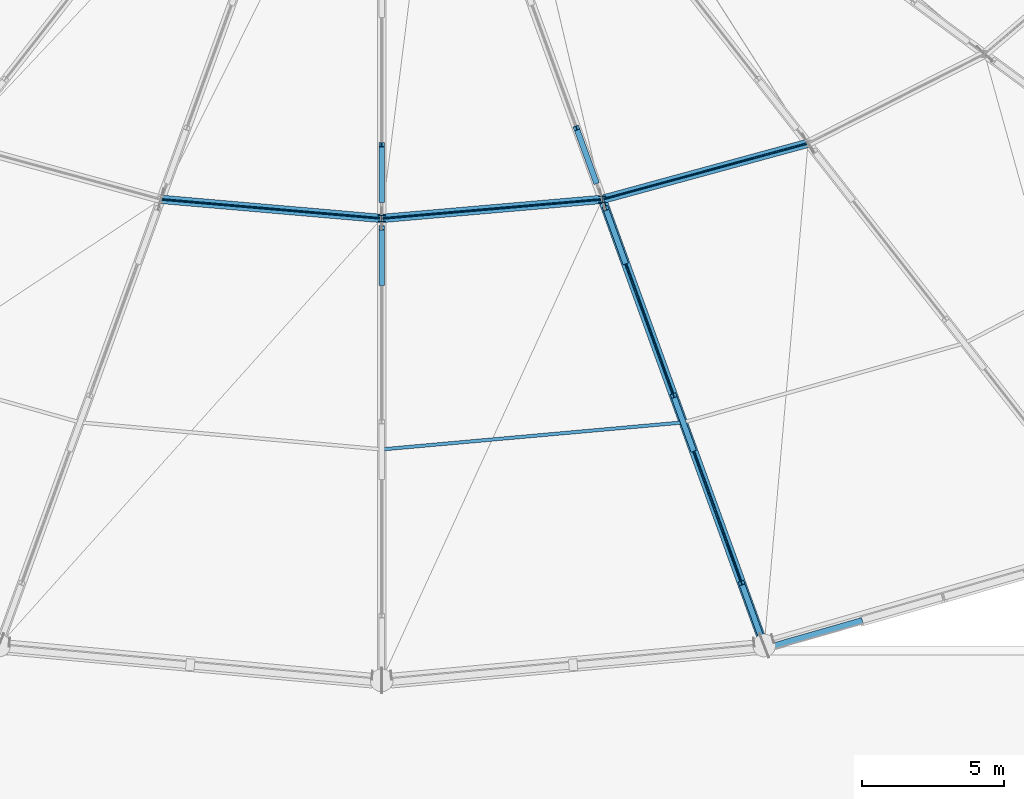
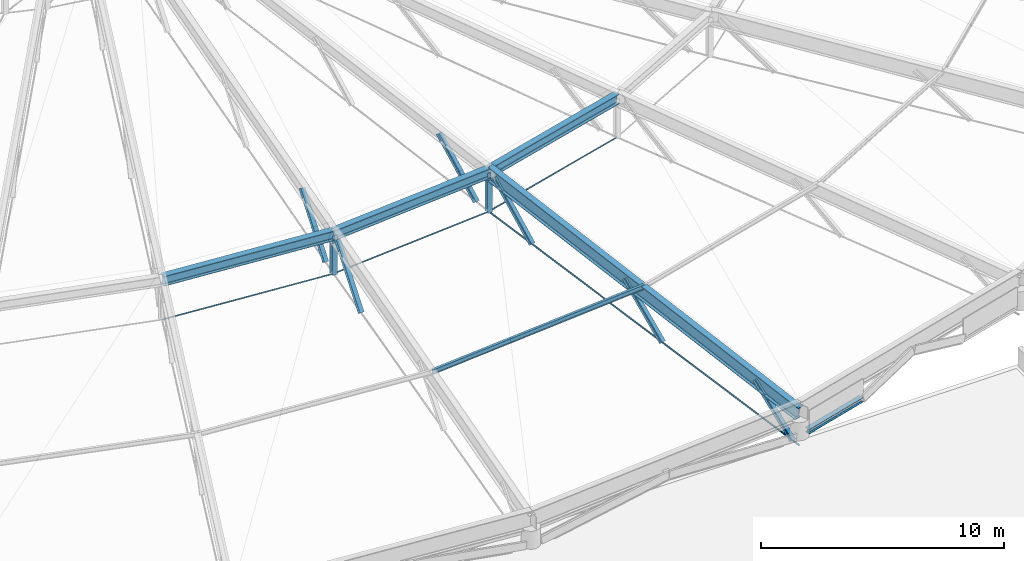
# One storey, part 5 of 83: 13 members, 5 beams.
"""IFC4 building model written with IfcOpenShell, lengths in metres."""

from ifc_helpers import new_model, si_unit, direction, frame, origin, origin_2d, place, context, subcontext, project, spatial, circle, i_section, extrude, material, material_profile, profile_set, type_object, element, save


model = new_model("IFC4")

# Units and contexts
model_context = context("Model", 3, precision=1e-05, world=origin(), true_north=direction((0.0, 1.0)))
body_context = subcontext(model_context, "Body", "Model", "MODEL_VIEW")
ifc_project = project(units=[si_unit("LENGTHUNIT", "METRE"), si_unit("AREAUNIT", "SQUARE_METRE"), si_unit("VOLUMEUNIT", "CUBIC_METRE"), si_unit("PLANEANGLEUNIT", "RADIAN"), si_unit("MASSUNIT", "GRAM", prefix="KILO")], contexts=[model_context])

# Site, building, storey
site_placement = place(None, origin())
site = spatial("IfcSite", under=ifc_project, at=site_placement, CompositionType="ELEMENT")
building_placement = place(site_placement, origin())
building = spatial("IfcBuilding", under=site, at=building_placement, Name="Kivolera Central Railway Station", CompositionType="ELEMENT")
storey_placement = place(building_placement, frame((0.0, 0.0, 14.39990234375)))
storey = spatial("IfcBuildingStorey", under=building, at=storey_placement, Name="L03", CompositionType="ELEMENT", Elevation=14.39990234375)

# Beams
ifc_material_1 = material(Name="Steel S355", Category="steel")
ifc_material_profile_1 = material_profile(ifc_material_1, i_section(OverallWidth=0.300048828125, OverallDepth=0.699951171875, WebThickness=0.01708984375, FlangeThickness=0.031982421875, FilletRadius=0.027099609375, at=origin_2d()), Name="HEB 700")
ifc_profile_set_1 = profile_set([ifc_material_profile_1], Name="Steel S355")
beam_type_1 = type_object("IfcBeamType", Name="BM-DRB-HEB700", PredefinedType="BEAM", material=ifc_profile_set_1)
beam_1_placement = place(storey_placement, frame((77.458984375, 55.22705078125, 1.18017578125), z_axis=(-0.328777498815, 0.906291393744, 0.265596057761), x_axis=(-0.940053995171, -0.341025638571, 0.0)))
element("IfcBeam", 1, at=beam_1_placement, inside=storey, type_object=beam_type_1, Name="Oval Dome Radial Arch Rib Outer Segment DRB1-20", PredefinedType="BEAM", context=body_context, shape_type="SweptSolid", body=[
    extrude(i_section(OverallWidth=0.300048828125, OverallDepth=0.699951171875, WebThickness=0.01708984375, FlangeThickness=0.031982421875, FilletRadius=0.027099609375, at=origin_2d()), origin(), (0.0, 0.0, 1.0), 17.319091796875),
])
ifc_material_profile_2 = material_profile(ifc_material_1, i_section(OverallWidth=0.300048828125, OverallDepth=0.5, WebThickness=0.014404296875, FlangeThickness=0.028076171875, FilletRadius=0.027099609375, at=origin_2d()), Name="HEB 500")
ifc_profile_set_2 = profile_set([ifc_material_profile_2], Name="Steel S355")
beam_type_2 = type_object("IfcBeamType", Name="BM-HRG-HEB500", PredefinedType="BEAM", material=ifc_profile_set_2)
for number, where, z_axis, x_axis, name in (
    (2, (56.235107421875, 70.923095703125, 5.780029296875), (0.996263942133, -0.086360625325, 0.0), (0.086360625325, 0.996263942133, 0.0), "Oval Dome Outer Hoop Ring Beam HRG1-18"),
    (3, (64.0, 70.25, 5.780029296875), (0.996263942133, 0.086360625325, 0.0), (-0.086360625325, 0.996263942133, 0.0), "Oval Dome Outer Hoop Ring Beam HRG1-19"),
):
    element("IfcBeam", number, at=place(storey_placement, frame(where, z_axis=z_axis, x_axis=x_axis)), inside=storey, type_object=beam_type_2, Name=name, PredefinedType="BEAM", context=body_context, shape_type="SweptSolid", body=[
        extrude(i_section(OverallWidth=0.300048828125, OverallDepth=0.5, WebThickness=0.014404296875, FlangeThickness=0.028076171875, FilletRadius=0.027099609375, at=origin_2d()), origin(), (0.0, 0.0, 1.0), 7.7939453125),
    ])
beam_2_placement = place(storey_placement, frame((71.764892578125, 70.923095703125, 5.780029296875), z_axis=(0.964774338312, 0.263078840152, 0.0), x_axis=(-0.263078840152, 0.964774338312, 0.0)))
element("IfcBeam", 4, at=beam_2_placement, inside=storey, type_object=beam_type_2, Name="Oval Dome Outer Hoop Ring Beam HRG1-20", PredefinedType="BEAM", context=body_context, shape_type="SweptSolid", body=[
    extrude(i_section(OverallWidth=0.300048828125, OverallDepth=0.5, WebThickness=0.014404296875, FlangeThickness=0.028076171875, FilletRadius=0.027099609375, at=origin_2d()), origin(), (0.0, 0.0, 1.0), 7.499267578125),
])
ifc_material_profile_3 = material_profile(ifc_material_1, i_section(OverallWidth=0.239990234375, OverallDepth=0.22998046875, WebThickness=0.007568359375, FlangeThickness=0.011962890625, FilletRadius=0.02099609375, at=origin_2d()), Name="HEA 240")
ifc_profile_set_3 = profile_set([ifc_material_profile_3], Name="Steel S355")
beam_type_3 = type_object("IfcBeamType", Name="BM-LANT-HTIE", PredefinedType="SPANDREL", material=ifc_profile_set_3)
beam_3_placement = place(storey_placement, frame((77.8330078125, 55.208984375, 0.16015625), z_axis=(0.961204572077, 0.275836492541, 0.0), x_axis=(-0.275836492541, 0.961204572077, 0.0)))
element("IfcBeam", 5, at=beam_3_placement, inside=storey, type_object=beam_type_3, Name="Lantern Arch Spandrel Haunch Tie 20L", PredefinedType="SPANDREL", context=body_context, shape_type="SweptSolid", body=[
    extrude(i_section(OverallWidth=0.239990234375, OverallDepth=0.22998046875, WebThickness=0.007568359375, FlangeThickness=0.011962890625, FilletRadius=0.02099609375, at=origin_2d()), origin(), (0.0, 0.0, 1.0), 3.20849609375),
])

# Members
ifc_material_2 = material(Name="Spiral strand steel S460", Category="steel")
ifc_material_profile_4 = material_profile(ifc_material_2, circle(Radius=0.02392578125, at=origin_2d()), Name="CABLE D48")
ifc_profile_set_4 = profile_set([ifc_material_profile_4], Name="Spiral strand steel S460")
member_type_1 = type_object("IfcMemberType", Name="MEM-CABLE-D48", PredefinedType="USERDEFINED", material=ifc_profile_set_4)
for number, where, z_axis, x_axis, name in (
    (6, (56.235107421875, 70.923095703125, 3.780029296875), (0.996263942133, -0.086360625325, 0.0), (0.086360625325, 0.996263942133, 0.0), "Dome Hoop Tension Cable HC1-18"),
    (7, (64.0, 70.25, 3.780029296875), (0.996263942133, 0.086360625325, 0.0), (-0.086360625325, 0.996263942133, 0.0), "Dome Hoop Tension Cable HC1-19"),
):
    element("IfcMember", number, at=place(storey_placement, frame(where, z_axis=z_axis, x_axis=x_axis)), inside=storey, type_object=member_type_1, Name=name, ObjectType="TENSION_CABLE", PredefinedType="USERDEFINED", context=body_context, shape_type="SweptSolid", body=[
        extrude(circle(Radius=0.02392578125, at=origin_2d()), origin(), (0.0, 0.0, 1.0), 7.7939453125),
    ])
member_1_placement = place(storey_placement, frame((71.764892578125, 70.923095703125, 3.780029296875), z_axis=(0.964774338312, 0.263078840152, 0.0), x_axis=(-0.263078840152, 0.964774338312, 0.0)))
element("IfcMember", 8, at=member_1_placement, inside=storey, type_object=member_type_1, Name="Dome Hoop Tension Cable HC1-20", ObjectType="TENSION_CABLE", PredefinedType="USERDEFINED", context=body_context, shape_type="SweptSolid", body=[
    extrude(circle(Radius=0.02392578125, at=origin_2d()), origin(), (0.0, 0.0, 1.0), 7.499267578125),
])
ifc_material_profile_5 = material_profile(ifc_material_2, circle(Radius=0.031982421875, at=origin_2d()), Name="CABLE D64")
ifc_profile_set_5 = profile_set([ifc_material_profile_5], Name="Spiral strand steel S460")
member_type_2 = type_object("IfcMemberType", Name="MEM-CABLE-D64", PredefinedType="USERDEFINED", material=ifc_profile_set_5)
member_2_placement = place(storey_placement, frame((77.458984375, 55.22705078125, -0.449951171875), z_axis=(-0.330582165215, 0.9112660457, 0.245580182417), x_axis=(-0.940053995171, -0.341025638571, 0.0)))
element("IfcMember", 9, at=member_2_placement, inside=storey, type_object=member_type_2, Name="Dome Radial Spiral-Strand Tension Cable RC1-20", ObjectType="TENSION_CABLE", PredefinedType="USERDEFINED", context=body_context, shape_type="SweptSolid", body=[
    extrude(circle(Radius=0.031982421875, at=origin_2d()), origin(), (0.0, 0.0, 1.0), 17.224365234375),
])
ifc_material_profile_6 = material_profile(ifc_material_1, i_section(OverallWidth=0.1201171875, OverallDepth=0.239990234375, WebThickness=0.006103515625, FlangeThickness=0.009765625, FilletRadius=0.014892578125, at=origin_2d()), Name="IPE 240")
ifc_profile_set_6 = profile_set([ifc_material_profile_6], Name="Steel S355")
member_type_3 = type_object("IfcMemberType", Name="MEM-PUR-IPE240", PredefinedType="PURLIN", material=ifc_profile_set_6)
member_3_placement = place(storey_placement, frame((64.0, 62.125, 3.775146484375), z_axis=(0.996017345617, 0.089159672667, 0.0), x_axis=(-0.089159672667, 0.996017345617, 0.0)))
element("IfcMember", 10, at=member_3_placement, inside=storey, type_object=member_type_3, Name="Dome Outer Hoop Purlin DPUR1-19", PredefinedType="PURLIN", context=body_context, shape_type="SweptSolid", body=[
    extrude(i_section(OverallWidth=0.1201171875, OverallDepth=0.239990234375, WebThickness=0.006103515625, FlangeThickness=0.009765625, FilletRadius=0.014892578125, at=origin_2d()), origin(), (0.0, 0.0, 1.0), 10.654541015625),
])
ifc_material_profile_7 = material_profile(ifc_material_1, i_section(OverallWidth=0.239990234375, OverallDepth=0.22998046875, WebThickness=0.007568359375, FlangeThickness=0.011962890625, FilletRadius=0.02099609375, at=origin_2d()), Name="HEA 240")
ifc_profile_set_7 = profile_set([ifc_material_profile_7], Name="Steel S355")
member_type_4 = type_object("IfcMemberType", Name="MEM-RAF-HEA240", PredefinedType="STRUT", material=ifc_profile_set_7)
for number, where, z_axis, x_axis, name in (
    (11, (64.0, 70.25, 3.780029296875), (0.0, 0.0, 1.0), (1.0, 0.0, 0.0), "Dome Ring Spreader Post DP1-19"),
    (12, (71.764892578125, 70.923095703125, 3.780029296875), (0.0, 0.0, 1.0), (1.0, 0.0, 0.0), "Dome Ring Spreader Post DP1-20"),
):
    element("IfcMember", number, at=place(storey_placement, frame(where, z_axis=z_axis, x_axis=x_axis)), inside=storey, type_object=member_type_4, Name=name, PredefinedType="STRUT", context=body_context, shape_type="SweptSolid", body=[
        extrude(i_section(OverallWidth=0.239990234375, OverallDepth=0.22998046875, WebThickness=0.007568359375, FlangeThickness=0.011962890625, FilletRadius=0.02099609375, at=origin_2d()), origin(), (0.0, 0.0, 1.0), 2.0),
    ])
ifc_material_profile_8 = material_profile(ifc_material_1, i_section(OverallWidth=0.199951171875, OverallDepth=0.199951171875, WebThickness=0.009033203125, FlangeThickness=0.014892578125, FilletRadius=0.01806640625, at=origin_2d()), Name="HEB 200")
ifc_profile_set_8 = profile_set([ifc_material_profile_8], Name="Steel S355")
member_type_5 = type_object("IfcMemberType", Name="MEM-RAF-HEB200", PredefinedType="RAFTER", material=ifc_profile_set_8)
member_4_placement = place(storey_placement, frame((64.0, 67.97509765625, 3.18798828125), z_axis=(0.0, 0.615022223554, 0.788509774533), x_axis=(-1.0, 0.0, 0.0)))
element("IfcMember", 13, at=member_4_placement, inside=storey, type_object=member_type_5, Name="Dome Radial Truss Raking Web DWEB1-19.3", PredefinedType="RAFTER", context=body_context, shape_type="SweptSolid", body=[
    extrude(i_section(OverallWidth=0.199951171875, OverallDepth=0.199951171875, WebThickness=0.009033203125, FlangeThickness=0.014892578125, FilletRadius=0.01806640625, at=origin_2d()), origin(), (0.0, 0.0, 1.0), 3.170654296875),
])
member_5_placement = place(storey_placement, frame((64.0, 70.89990234375, 3.964111328125), z_axis=(0.0, 0.607187682009, 0.794558442669), x_axis=(-1.0, 0.0, 0.0)))
element("IfcMember", 14, at=member_5_placement, inside=storey, type_object=member_type_5, Name="Dome Inner Truss Raking Web DWEB2-19.1", PredefinedType="RAFTER", context=body_context, shape_type="SweptSolid", body=[
    extrude(i_section(OverallWidth=0.199951171875, OverallDepth=0.199951171875, WebThickness=0.009033203125, FlangeThickness=0.014892578125, FilletRadius=0.01806640625, at=origin_2d()), origin(), (0.0, 0.0, 1.0), 3.2119140625),
])
member_6_placement = place(storey_placement, frame((77.344970703125, 55.541015625, -0.364990234375), z_axis=(-0.230129257585, 0.63460384832, 0.737779425371), x_axis=(-0.940095542552, -0.340911089397, 0.0)))
element("IfcMember", 15, at=member_6_placement, inside=storey, type_object=member_type_5, Name="Dome Radial Truss Raking Web DWEB1-20.1", PredefinedType="RAFTER", context=body_context, shape_type="SweptSolid", body=[
    extrude(i_section(OverallWidth=0.199951171875, OverallDepth=0.199951171875, WebThickness=0.009033203125, FlangeThickness=0.014892578125, FilletRadius=0.01806640625, at=origin_2d()), origin(), (0.0, 0.0, 1.0), 2.96728515625),
])
member_7_placement = place(storey_placement, frame((74.9541015625, 62.133056640625, 1.4111328125), z_axis=(-0.221753761886, 0.610732969476, 0.760151635586), x_axis=(-0.939956905793, -0.341293151488, 0.0)))
element("IfcMember", 16, at=member_7_placement, inside=storey, type_object=member_type_5, Name="Dome Radial Truss Raking Web DWEB1-20.2", PredefinedType="RAFTER", context=body_context, shape_type="SweptSolid", body=[
    extrude(i_section(OverallWidth=0.199951171875, OverallDepth=0.199951171875, WebThickness=0.009033203125, FlangeThickness=0.014892578125, FilletRadius=0.01806640625, at=origin_2d()), origin(), (0.0, 0.0, 1.0), 3.0849609375),
])
member_8_placement = place(storey_placement, frame((72.56201171875, 68.72607421875, 3.18798828125), z_axis=(-0.213245503761, 0.587758872409, 0.780426718552), x_axis=(-0.940042299079, -0.3410578777, 0.0)))
element("IfcMember", 17, at=member_8_placement, inside=storey, type_object=member_type_5, Name="Dome Radial Truss Raking Web DWEB1-20.3", PredefinedType="RAFTER", context=body_context, shape_type="SweptSolid", body=[
    extrude(i_section(OverallWidth=0.199951171875, OverallDepth=0.199951171875, WebThickness=0.009033203125, FlangeThickness=0.014892578125, FilletRadius=0.01806640625, at=origin_2d()), origin(), (0.0, 0.0, 1.0), 3.203369140625),
])
member_9_placement = place(storey_placement, frame((71.537109375, 71.551025390625, 3.964111328125), z_axis=(-0.210557911999, 0.580426438616, 0.786619676242), x_axis=(-0.940056475347, -0.341018801766, 0.0)))
element("IfcMember", 18, at=member_9_placement, inside=storey, type_object=member_type_5, Name="Dome Inner Truss Raking Web DWEB2-20.1", PredefinedType="RAFTER", context=body_context, shape_type="SweptSolid", body=[
    extrude(i_section(OverallWidth=0.199951171875, OverallDepth=0.199951171875, WebThickness=0.009033203125, FlangeThickness=0.014892578125, FilletRadius=0.01806640625, at=origin_2d()), origin(), (0.0, 0.0, 1.0), 3.244384765625),
])

save(model, "model.ifc")
